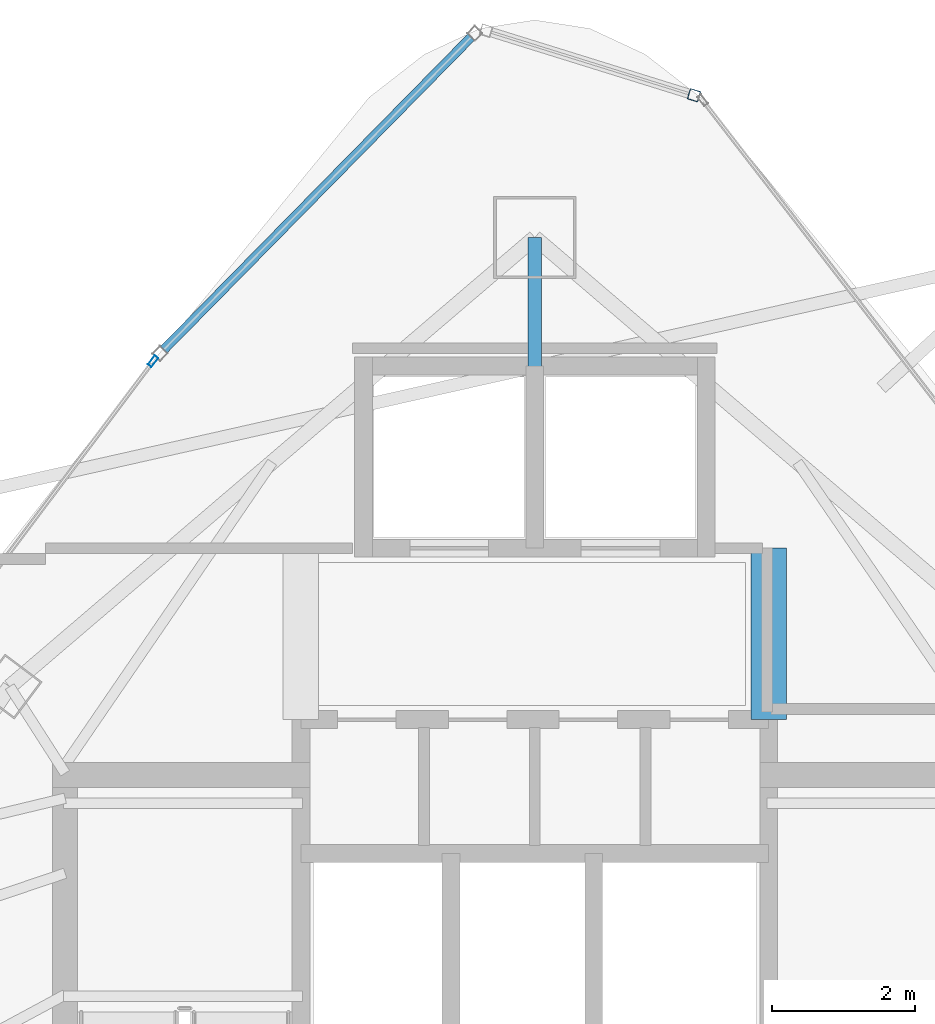
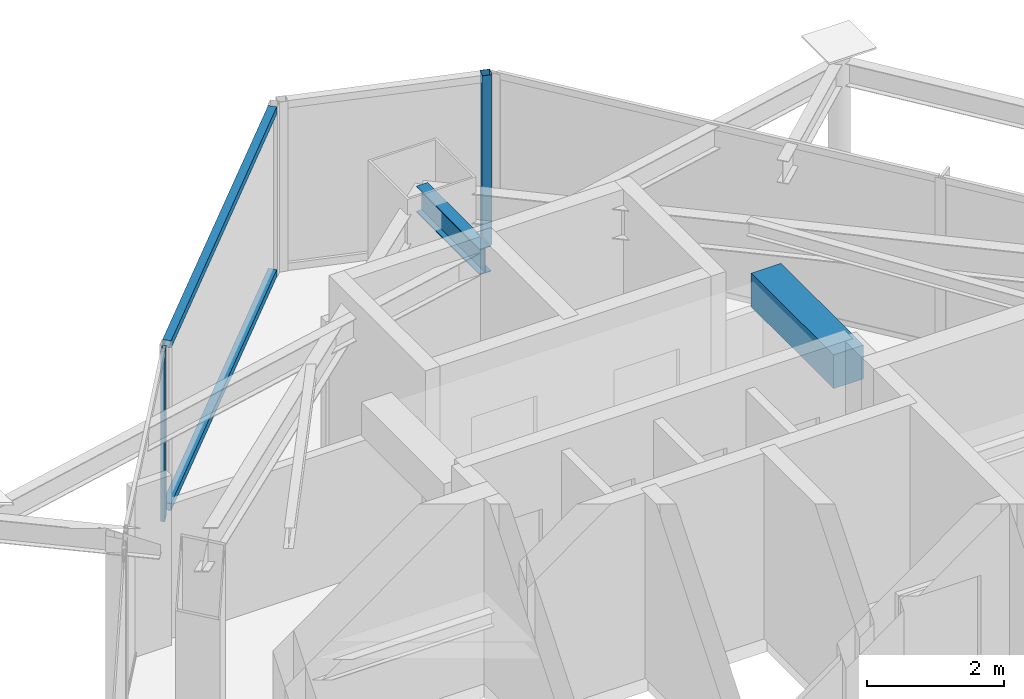
# One storey, part 22 of 30: 4 members, 2 beams, 3 elements without a shape of their own.
"""IFC4 building model written with IfcOpenShell, lengths in metres."""

from ifc_helpers import new_model, si_unit, direction, frame, origin, origin_2d, place, context, subcontext, project, spatial, rectangle, hollow_rectangle, i_section, extrude, material, layer, layer_set, material_profile, profile_set, type_object, element, aggregate, save


model = new_model("IFC4")

# Units and contexts
model_context = context("Model", 3, precision=1e-05, world=origin(), true_north=direction((0.0, 1.0)))
body_context = subcontext(model_context, "Body", "Model", "MODEL_VIEW")
ifc_project = project(units=[si_unit("LENGTHUNIT", "METRE"), si_unit("AREAUNIT", "SQUARE_METRE"), si_unit("VOLUMEUNIT", "CUBIC_METRE"), si_unit("PLANEANGLEUNIT", "RADIAN"), si_unit("MASSUNIT", "GRAM", prefix="KILO")], contexts=[model_context])

# Site, building, storey
site_placement = place(None, origin())
site = spatial("IfcSite", under=ifc_project, at=site_placement, CompositionType="ELEMENT")
building_placement = place(site_placement, origin())
building = spatial("IfcBuilding", under=site, at=building_placement, Name="Orvanel Arch Residences", CompositionType="ELEMENT")
storey_placement = place(building_placement, frame((0.0, 0.0, 273.35009765625)))
storey = spatial("IfcBuildingStorey", under=building, at=storey_placement, Name="L78", CompositionType="ELEMENT", Elevation=273.35009765625)

# Beams
ifc_material_1 = material(Name="Structural steel AS/NZS 3679.1 Grade 300 (300 MPa)", Category="steel")
ifc_material_profile_1 = material_profile(ifc_material_1, i_section(OverallWidth=0.19091796875, OverallDepth=0.4599609375, WebThickness=0.010009765625, FlangeThickness=0.01611328125, at=origin_2d()), Name="460UB82.1")
ifc_profile_set_1 = profile_set([ifc_material_profile_1], Name="Structural steel AS/NZS 3679.1 Grade 300 (300 MPa)")
beam_type_1 = type_object("IfcBeamType", Name="BG-460UB", PredefinedType="BEAM", material=ifc_profile_set_1)
beam_1_placement = place(storey_placement, frame((33.0, 39.550048828125, 2.789794921875), z_axis=(0.0, 1.0, 0.0), x_axis=(-1.0, 0.0, 0.0)))
element("IfcBeam", 1, at=beam_1_placement, inside=storey, type_object=beam_type_1, Name="L78 North Radial Girder", PredefinedType="BEAM", context=body_context, shape_type="SweptSolid", body=[
    extrude(i_section(OverallWidth=0.19091796875, OverallDepth=0.4599609375, WebThickness=0.010009765625, FlangeThickness=0.01611328125, at=origin_2d()), origin(), (0.0, 0.0, 1.0), 1.847900390625),
])
ifc_material_2 = material(Name="Concrete S65 (65 MPa)", Category="concrete")
ifc_material_profile_2 = material_profile(ifc_material_2, rectangle(XDim=0.5, YDim=0.60009765625, at=origin_2d()), Name="RC500x600")
ifc_profile_set_2 = profile_set([ifc_material_profile_2], Name="Concrete S65 (65 MPa)")
beam_type_2 = type_object("IfcBeamType", Name="CB-500x600", PredefinedType="LINTEL", material=ifc_profile_set_2)
beam_2_placement = place(storey_placement, frame((36.27490234375, 34.64990234375, 2.719970703125), z_axis=(0.0, 1.0, 0.0), x_axis=(-1.0, 0.0, 0.0)))
element("IfcBeam", 2, at=beam_2_placement, inside=storey, type_object=beam_type_2, Name="L78 East Core Lobby Coupling Lintel Beam", PredefinedType="LINTEL", context=body_context, shape_type="SweptSolid", body=[
    extrude(rectangle(XDim=0.5, YDim=0.60009765625, at=origin_2d()), origin(), (0.0, 0.0, 1.0), 2.400146484375),
])

# Curtain wall, member
ifc_material_3 = material(Name="Bronze-anodised aluminium AA6063-T6", Category="aluminium")
ifc_layer_1 = layer(ifc_material_3, 0.18994140625)
ifc_layer_set_1 = layer_set([ifc_layer_1], Name="Bronze-anodised aluminium AA6063-T6")
curtain_wall_type_1 = type_object("IfcCurtainWallType", Name="CW5-CRN-SYS", PredefinedType="NOTDEFINED", material=ifc_layer_set_1)
curtain_wall_1_placement = place(storey_placement, origin())
curtain_wall_1 = element("IfcCurtainWall", 3, at=curtain_wall_1_placement, inside=storey, type_object=curtain_wall_type_1, Name="L78 CW5-CRN-SYS Unitised Curtain Wall", PredefinedType="NOTDEFINED")
ifc_material_profile_3 = material_profile(ifc_material_3, hollow_rectangle(XDim=0.14990234375, YDim=0.14990234375, WallThickness=0.0048828125, at=origin_2d()), Name="ALU150x150x5")
ifc_profile_set_3 = profile_set([ifc_material_profile_3], Name="Bronze-anodised aluminium AA6063-T6")
member_type_1 = type_object("IfcMemberType", Name="MUL-150x150", PredefinedType="MULLION", material=ifc_profile_set_3)
member_1_placement = place(storey_placement, frame((35.228271484375, 43.391357421875, 0.0), z_axis=(0.0, 0.0, 1.0), x_axis=(-0.297028543105, -0.954868600689, 0.0)))
member_1 = element("IfcMember", 4, at=member_1_placement, type_object=member_type_1, Name="CW-S5 mullion 1", PredefinedType="MULLION", context=body_context, shape_type="SweptSolid", body=[
    extrude(hollow_rectangle(XDim=0.14990234375, YDim=0.14990234375, WallThickness=0.0048828125, at=origin_2d()), origin(), (0.0, 0.0, 1.0), 3.02001953125),
])
aggregate(curtain_wall_1, [member_1])

ifc_layer_2 = layer(ifc_material_3, 0.175048828125)
ifc_layer_set_2 = layer_set([ifc_layer_2], Name="Bronze-anodised aluminium AA6063-T6")
curtain_wall_type_2 = type_object("IfcCurtainWallType", Name="CW4-HI-SYS", PredefinedType="NOTDEFINED", material=ifc_layer_set_2)
curtain_wall_2_placement = place(storey_placement, origin())
curtain_wall_2 = element("IfcCurtainWall", 5, at=curtain_wall_2_placement, inside=storey, type_object=curtain_wall_type_2, Name="L78 CW4-HI-SYS Unitised Curtain Wall", PredefinedType="NOTDEFINED")
ifc_material_profile_4 = material_profile(ifc_material_3, hollow_rectangle(XDim=0.06494140625, YDim=0.159912109375, WallThickness=0.00390625, at=origin_2d()), Name="ALU160x65x4")
ifc_profile_set_4 = profile_set([ifc_material_profile_4], Name="Bronze-anodised aluminium AA6063-T6")
member_type_2 = type_object("IfcMemberType", Name="MUL-160x65", PredefinedType="MULLION", material=ifc_profile_set_4)
member_2_placement = place(storey_placement, frame((27.655517578125, 39.6669921875, 0.0), z_axis=(0.0, 0.0, 1.0), x_axis=(0.799615096912, -0.60051286147, 0.0)))
member_2 = element("IfcMember", 6, at=member_2_placement, type_object=member_type_2, Name="CW-S4 mullion 1", PredefinedType="MULLION", context=body_context, shape_type="SweptSolid", body=[
    extrude(hollow_rectangle(XDim=0.06494140625, YDim=0.159912109375, WallThickness=0.00390625, at=origin_2d()), origin(), (0.0, 0.0, 1.0), 3.02001953125),
])
aggregate(curtain_wall_2, [member_2])

# Curtain wall, members
curtain_wall_3_placement = place(storey_placement, origin())
curtain_wall_3 = element("IfcCurtainWall", 7, at=curtain_wall_3_placement, inside=storey, type_object=curtain_wall_type_1, Name="L78 CW5-CRN-SYS Unitised Curtain Wall", PredefinedType="NOTDEFINED")
ifc_material_profile_5 = material_profile(ifc_material_3, hollow_rectangle(XDim=0.1298828125, YDim=0.1298828125, WallThickness=0.00439453125, at=origin_2d()), Name="ALU130x130x4.5")
ifc_profile_set_5 = profile_set([ifc_material_profile_5], Name="Bronze-anodised aluminium AA6063-T6")
member_type_3 = type_object("IfcMemberType", Name="TRN-130x130", PredefinedType="USERDEFINED", material=ifc_profile_set_5)
member_3_placement = place(storey_placement, frame((32.10791015625, 44.2041015625, 0.06494140625), z_axis=(-0.701172658584, -0.712991516677, 0.0), x_axis=(0.712991516677, -0.701172658584, 0.0)))
member_3 = element("IfcMember", 8, at=member_3_placement, type_object=member_type_3, Name="CW-S5 transom 1.1", ObjectType="TRANSOM", PredefinedType="USERDEFINED", context=body_context, shape_type="SweptSolid", body=[
    extrude(hollow_rectangle(XDim=0.1298828125, YDim=0.1298828125, WallThickness=0.00439453125, at=origin_2d()), origin(), (0.0, 0.0, 1.0), 6.135009765625),
])
member_4_placement = place(storey_placement, frame((32.10791015625, 44.2041015625, 2.954833984375), z_axis=(-0.701172658584, -0.712991516677, 0.0), x_axis=(0.712991516677, -0.701172658584, 0.0)))
member_4 = element("IfcMember", 9, at=member_4_placement, type_object=member_type_3, Name="CW-S5 transom 1.2", ObjectType="TRANSOM", PredefinedType="USERDEFINED", context=body_context, shape_type="SweptSolid", body=[
    extrude(hollow_rectangle(XDim=0.1298828125, YDim=0.1298828125, WallThickness=0.00439453125, at=origin_2d()), origin(), (0.0, 0.0, 1.0), 6.135009765625),
])
aggregate(curtain_wall_3, [member_3, member_4])

save(model, "model.ifc")
